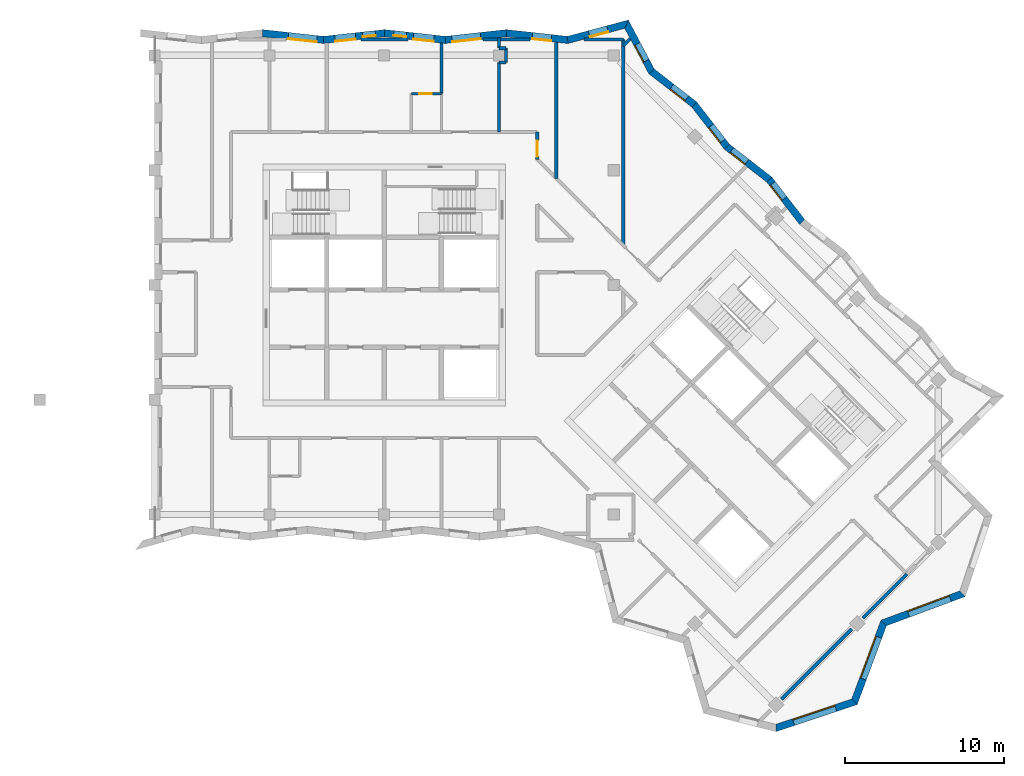
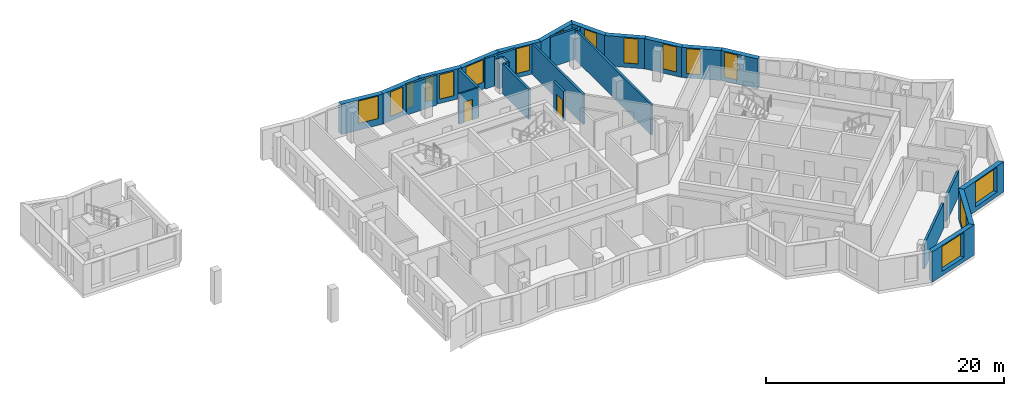
# One storey, part 6 of 12: 30 walls, 16 windows, 2 doors, 18 openings.
"""IFC4 building model written with IfcOpenShell, lengths in metres."""

from ifc_helpers import new_model, si_unit, direction, frame, frame_2d, origin, place, context, subcontext, project, spatial, polyline, rectangle, outline, extrude, material, layer, layer_set, type_object, element, fill, save


model = new_model("IFC4")

# Units and contexts
model_context = context("Model", 3, precision=1e-05, world=origin(), true_north=direction((0.0, 1.0)))
body_context = subcontext(model_context, "Body", "Model", "MODEL_VIEW")
ifc_project = project(units=[si_unit("LENGTHUNIT", "METRE"), si_unit("AREAUNIT", "SQUARE_METRE"), si_unit("VOLUMEUNIT", "CUBIC_METRE"), si_unit("PLANEANGLEUNIT", "RADIAN"), si_unit("MASSUNIT", "GRAM", prefix="KILO")], contexts=[model_context])

# Site, building, storey
site_placement = place(None, origin())
site = spatial("IfcSite", under=ifc_project, at=site_placement, CompositionType="ELEMENT")
building_placement = place(site_placement, origin())
building = spatial("IfcBuilding", under=site, at=building_placement, Name="Windrow Commons", CompositionType="ELEMENT")
storey_placement = place(building_placement, frame((0.0, 0.0, 257.4)))
storey = spatial("IfcBuildingStorey", under=building, at=storey_placement, Name="L70", CompositionType="ELEMENT", Elevation=257.4)

# Wall, opening, window
ifc_material_1 = material(Name="Brick masonry, red clay brick", Category="masonry")
ifc_layer_1 = layer(ifc_material_1, 0.45)
ifc_layer_set_1 = layer_set([ifc_layer_1], Name="Brick facade wall 450")
wall_type_1 = type_object("IfcWallType", Name="Brick facade wall 450", PredefinedType="SOLIDWALL", material=ifc_layer_set_1)
wall_1_placement = place(storey_placement, frame((89.3737, 29.8079, 0.0), z_axis=(0.0, 0.0, 1.0), x_axis=(0.9486852237, 0.3162219889, 0.0)))
wall_1 = element("IfcWall", 1, at=wall_1_placement, inside=storey, type_object=wall_type_1, Name="Brick facade wall L70 1", PredefinedType="SOLIDWALL", context=body_context, shape_type="SweptSolid", body=[
    extrude(outline(polyline([(-0.066, -0.225), (5.3006, -0.225), (5.0851, 0.225), (0.066, 0.225), (-0.066, -0.225)])), origin(), (0.0, 0.0, 1.0), 3.1),
])
opening_1_placement = place(wall_1_placement, frame((1.1575, 0.0, 0.45)))
opening_1 = element("IfcOpeningElement", 2, at=opening_1_placement, cuts=wall_1, Name="Opening W1V", PredefinedType="OPENING", context=body_context, shape_type="SweptSolid", body=[
    extrude(rectangle(XDim=2.8, YDim=2.55, at=frame_2d((1.4, 1.275))), frame((0.0, 0.235, 0.0), z_axis=(0.0, -1.0, 0.0), x_axis=(1.0, 0.0, 0.0)), (0.0, 0.0, 1.0), 0.47),
])
ifc_material_2 = material(Name="Clear float glass in anodised aluminium frame", Category="aluminium")
window_type_1 = type_object("IfcWindowType", Name="Window W1V bedroom 2800x2550", PartitioningType="SINGLE_PANEL", PredefinedType="WINDOW", material=ifc_material_2)
window_1_placement = place(opening_1_placement, origin())
window_1 = element("IfcWindow", 3, at=window_1_placement, inside=storey, type_object=window_type_1, Name="Window L70 1.1", OverallHeight=2.55, OverallWidth=2.8, PartitioningType="SINGLE_PANEL", PredefinedType="WINDOW", context=body_context, shape_type="SweptSolid", body=[
    extrude(rectangle(XDim=2.8, YDim=2.55, at=frame_2d((1.4, 1.275))), frame((0.0, 0.205, 0.0), z_axis=(0.0, -1.0, 0.0), x_axis=(1.0, 0.0, 0.0)), (0.0, 0.0, 1.0), 0.06),
])
fill(opening_1, window_1)

wall_2_placement = place(storey_placement, frame((94.3001, 31.45, 0.0), z_axis=(0.0, 0.0, 1.0), x_axis=(0.3481927166, 0.9374229739, 0.0)))
wall_2 = element("IfcWall", 4, at=wall_2_placement, inside=storey, type_object=wall_type_1, Name="Brick facade wall L70 2", PredefinedType="SOLIDWALL", context=body_context, shape_type="SweptSolid", body=[
    extrude(outline(polyline([(-0.1078, -0.225), (5.1724, -0.225), (5.3786, 0.225), (0.1078, 0.225), (-0.1078, -0.225)])), origin(), (0.0, 0.0, 1.0), 3.1),
])
opening_2_placement = place(wall_2_placement, frame((1.5336, 0.0, 0.45)))
opening_2 = element("IfcOpeningElement", 5, at=opening_2_placement, cuts=wall_2, Name="Opening W1V", PredefinedType="OPENING", context=body_context, shape_type="SweptSolid", body=[
    extrude(rectangle(XDim=2.8, YDim=2.55, at=frame_2d((1.4, 1.275))), frame((0.0, 0.235, 0.0), z_axis=(0.0, -1.0, 0.0), x_axis=(1.0, 0.0, 0.0)), (0.0, 0.0, 1.0), 0.47),
])
window_2_placement = place(opening_2_placement, origin())
window_2 = element("IfcWindow", 6, at=window_2_placement, inside=storey, type_object=window_type_1, Name="Window L70 2.1", OverallHeight=2.55, OverallWidth=2.8, PartitioningType="SINGLE_PANEL", PredefinedType="WINDOW", context=body_context, shape_type="SweptSolid", body=[
    extrude(rectangle(XDim=2.8, YDim=2.55, at=frame_2d((1.4, 1.275))), frame((0.0, 0.205, 0.0), z_axis=(0.0, -1.0, 0.0), x_axis=(1.0, 0.0, 0.0)), (0.0, 0.0, 1.0), 0.06),
])
fill(opening_2, window_2)

wall_3_placement = place(storey_placement, frame((96.137, 36.3954, 0.0), z_axis=(0.0, 0.0, 1.0), x_axis=(0.937429161, 0.3481760591, 0.0)))
wall_3 = element("IfcWall", 7, at=wall_3_placement, inside=storey, type_object=wall_type_1, Name="Brick facade wall L70 3", PredefinedType="SOLIDWALL", context=body_context, shape_type="SweptSolid", body=[
    extrude(outline(polyline([(0.1031, -0.225), (5.3833, -0.225), (5.1677, 0.225), (-0.1031, 0.225), (0.1031, -0.225)])), origin(), (0.0, 0.0, 1.0), 3.1),
])
opening_3_placement = place(wall_3_placement, frame((1.6509, 0.0, 0.45)))
opening_3 = element("IfcOpeningElement", 8, at=opening_3_placement, cuts=wall_3, Name="Opening W1V", PredefinedType="OPENING", context=body_context, shape_type="SweptSolid", body=[
    extrude(rectangle(XDim=2.8, YDim=2.55, at=frame_2d((1.4, 1.275))), frame((0.0, 0.235, 0.0), z_axis=(0.0, -1.0, 0.0), x_axis=(1.0, 0.0, 0.0)), (0.0, 0.0, 1.0), 0.47),
])
window_3_placement = place(opening_3_placement, origin())
window_3 = element("IfcWindow", 9, at=window_3_placement, inside=storey, type_object=window_type_1, Name="Window L70 3.1", OverallHeight=2.55, OverallWidth=2.8, PartitioningType="SINGLE_PANEL", PredefinedType="WINDOW", context=body_context, shape_type="SweptSolid", body=[
    extrude(rectangle(XDim=2.8, YDim=2.55, at=frame_2d((1.4, 1.275))), frame((0.0, 0.205, 0.0), z_axis=(0.0, -1.0, 0.0), x_axis=(1.0, 0.0, 0.0)), (0.0, 0.0, 1.0), 0.06),
])
fill(opening_3, window_3)

wall_4_placement = place(storey_placement, frame((91.0181, 61.5583, 0.0), z_axis=(0.0, 0.0, 1.0), x_axis=(-0.6128887822, 0.7901691849, 0.0)))
wall_4 = element("IfcWall", 10, at=wall_4_placement, inside=storey, type_object=wall_type_1, Name="Brick facade wall L70 12", PredefinedType="SOLIDWALL", context=body_context, shape_type="SweptSolid", body=[
    extrude(outline(polyline([(0.0284, -0.225), (3.3869, -0.225), (3.3301, 0.225), (-0.0284, 0.225), (0.0284, -0.225)])), origin(), (0.0, 0.0, 1.0), 3.1),
])
opening_4_placement = place(wall_4_placement, frame((1.8404, 0.0, 0.45)))
opening_4 = element("IfcOpeningElement", 11, at=opening_4_placement, cuts=wall_4, Name="Opening W7F", PredefinedType="OPENING", context=body_context, shape_type="SweptSolid", body=[
    extrude(rectangle(XDim=1.2, YDim=2.55, at=frame_2d((0.6, 1.275))), frame((0.0, 0.235, 0.0), z_axis=(0.0, -1.0, 0.0), x_axis=(1.0, 0.0, 0.0)), (0.0, 0.0, 1.0), 0.47),
])
ifc_material_3 = material(Name="Clear float glass in anodised aluminium frame", Category="aluminium")
window_type_2 = type_object("IfcWindowType", Name="Window W7 notch 1200x2550", PartitioningType="SINGLE_PANEL", PredefinedType="WINDOW", material=ifc_material_3)
window_4_placement = place(opening_4_placement, origin())
window_4 = element("IfcWindow", 12, at=window_4_placement, inside=storey, type_object=window_type_2, Name="Window L70 12.1", OverallHeight=2.55, OverallWidth=1.2, PartitioningType="SINGLE_PANEL", PredefinedType="WINDOW", context=body_context, shape_type="SweptSolid", body=[
    extrude(rectangle(XDim=1.2, YDim=2.55, at=frame_2d((0.6, 1.275))), frame((0.0, 0.205, 0.0), z_axis=(0.0, -1.0, 0.0), x_axis=(1.0, 0.0, 0.0)), (0.0, 0.0, 1.0), 0.06),
])
fill(opening_4, window_4)

wall_5_placement = place(storey_placement, frame((88.9597, 64.2121, 0.0), z_axis=(0.0, 0.0, 1.0), x_axis=(-0.7901691849, 0.6128887822, 0.0)))
wall_5 = element("IfcWall", 13, at=wall_5_placement, inside=storey, type_object=wall_type_1, Name="Brick facade wall L70 13", PredefinedType="SOLIDWALL", context=body_context, shape_type="SweptSolid", body=[
    extrude(outline(polyline([(-0.0284, -0.225), (3.3301, -0.225), (3.3869, 0.225), (0.0284, 0.225), (-0.0284, -0.225)])), origin(), (0.0, 0.0, 1.0), 3.1),
])
opening_5_placement = place(wall_5_placement, frame((1.7897, 0.0, 0.45)))
opening_5 = element("IfcOpeningElement", 14, at=opening_5_placement, cuts=wall_5, Name="Opening W7F", PredefinedType="OPENING", context=body_context, shape_type="SweptSolid", body=[
    extrude(rectangle(XDim=1.2, YDim=2.55, at=frame_2d((0.6, 1.275))), frame((0.0, 0.235, 0.0), z_axis=(0.0, -1.0, 0.0), x_axis=(1.0, 0.0, 0.0)), (0.0, 0.0, 1.0), 0.47),
])
window_5_placement = place(opening_5_placement, origin())
window_5 = element("IfcWindow", 15, at=window_5_placement, inside=storey, type_object=window_type_2, Name="Window L70 13.1", OverallHeight=2.55, OverallWidth=1.2, PartitioningType="SINGLE_PANEL", PredefinedType="WINDOW", context=body_context, shape_type="SweptSolid", body=[
    extrude(rectangle(XDim=1.2, YDim=2.55, at=frame_2d((0.6, 1.275))), frame((0.0, 0.205, 0.0), z_axis=(0.0, -1.0, 0.0), x_axis=(1.0, 0.0, 0.0)), (0.0, 0.0, 1.0), 0.06),
])
fill(opening_5, window_5)

wall_6_placement = place(storey_placement, frame((86.3059, 66.2705, 0.0), z_axis=(0.0, 0.0, 1.0), x_axis=(-0.612903202, 0.790158, 0.0)))
wall_6 = element("IfcWall", 16, at=wall_6_placement, inside=storey, type_object=wall_type_1, Name="Brick facade wall L70 14", PredefinedType="SOLIDWALL", context=body_context, shape_type="SweptSolid", body=[
    extrude(outline(polyline([(0.0284, -0.225), (3.3869, -0.225), (3.3301, 0.225), (-0.0284, 0.225), (0.0284, -0.225)])), origin(), (0.0, 0.0, 1.0), 3.1),
])
opening_6_placement = place(wall_6_placement, frame((0.4455, 0.0, 0.45)))
opening_6 = element("IfcOpeningElement", 17, at=opening_6_placement, cuts=wall_6, Name="Opening W7F", PredefinedType="OPENING", context=body_context, shape_type="SweptSolid", body=[
    extrude(rectangle(XDim=1.2, YDim=2.55, at=frame_2d((0.6, 1.275))), frame((0.0, 0.235, 0.0), z_axis=(0.0, -1.0, 0.0), x_axis=(1.0, 0.0, 0.0)), (0.0, 0.0, 1.0), 0.47),
])
window_6_placement = place(opening_6_placement, origin())
window_6 = element("IfcWindow", 18, at=window_6_placement, inside=storey, type_object=window_type_2, Name="Window L70 14.1", OverallHeight=2.55, OverallWidth=1.2, PartitioningType="SINGLE_PANEL", PredefinedType="WINDOW", context=body_context, shape_type="SweptSolid", body=[
    extrude(rectangle(XDim=1.2, YDim=2.55, at=frame_2d((0.6, 1.275))), frame((0.0, 0.205, 0.0), z_axis=(0.0, -1.0, 0.0), x_axis=(1.0, 0.0, 0.0)), (0.0, 0.0, 1.0), 0.06),
])
fill(opening_6, window_6)

wall_7_placement = place(storey_placement, frame((84.2475, 68.9242, 0.0), z_axis=(0.0, 0.0, 1.0), x_axis=(-0.7901548528, 0.6129072594, 0.0)))
wall_7 = element("IfcWall", 19, at=wall_7_placement, inside=storey, type_object=wall_type_1, Name="Brick facade wall L70 15", PredefinedType="SOLIDWALL", context=body_context, shape_type="SweptSolid", body=[
    extrude(outline(polyline([(-0.0284, -0.225), (3.3301, -0.225), (3.4267, 0.225), (0.0284, 0.225), (-0.0284, -0.225)])), origin(), (0.0, 0.0, 1.0), 3.1),
])
opening_7_placement = place(wall_7_placement, frame((0.5948, 0.0, 0.45)))
opening_7 = element("IfcOpeningElement", 20, at=opening_7_placement, cuts=wall_7, Name="Opening W7F", PredefinedType="OPENING", context=body_context, shape_type="SweptSolid", body=[
    extrude(rectangle(XDim=1.2, YDim=2.55, at=frame_2d((0.6, 1.275))), frame((0.0, 0.235, 0.0), z_axis=(0.0, -1.0, 0.0), x_axis=(1.0, 0.0, 0.0)), (0.0, 0.0, 1.0), 0.47),
])
window_7_placement = place(opening_7_placement, origin())
window_7 = element("IfcWindow", 21, at=window_7_placement, inside=storey, type_object=window_type_2, Name="Window L70 15.1", OverallHeight=2.55, OverallWidth=1.2, PartitioningType="SINGLE_PANEL", PredefinedType="WINDOW", context=body_context, shape_type="SweptSolid", body=[
    extrude(rectangle(XDim=1.2, YDim=2.55, at=frame_2d((0.6, 1.275))), frame((0.0, 0.205, 0.0), z_axis=(0.0, -1.0, 0.0), x_axis=(1.0, 0.0, 0.0)), (0.0, 0.0, 1.0), 0.06),
])
fill(opening_7, window_7)

wall_8_placement = place(storey_placement, frame((81.5781, 70.9948, 0.0), z_axis=(0.0, 0.0, 1.0), x_axis=(-0.4689147136, 0.8832434497, 0.0)))
wall_8 = element("IfcWall", 22, at=wall_8_placement, inside=storey, type_object=wall_type_1, Name="Brick facade wall L70 16", PredefinedType="SOLIDWALL", context=body_context, shape_type="SweptSolid", body=[
    extrude(outline(polyline([(0.0483, -0.225), (3.5332, -0.225), (3.1754, 0.225), (-0.0483, 0.225), (0.0483, -0.225)])), origin(), (0.0, 0.0, 1.0), 3.1),
])
opening_8_placement = place(wall_8_placement, frame((0.7511, 0.0, 0.45)))
opening_8 = element("IfcOpeningElement", 23, at=opening_8_placement, cuts=wall_8, Name="Opening W7F", PredefinedType="OPENING", context=body_context, shape_type="SweptSolid", body=[
    extrude(rectangle(XDim=1.2, YDim=2.55, at=frame_2d((0.6, 1.275))), frame((0.0, 0.235, 0.0), z_axis=(0.0, -1.0, 0.0), x_axis=(1.0, 0.0, 0.0)), (0.0, 0.0, 1.0), 0.47),
])
window_8_placement = place(opening_8_placement, origin())
window_8 = element("IfcWindow", 24, at=window_8_placement, inside=storey, type_object=window_type_2, Name="Window L70 16.1", OverallHeight=2.55, OverallWidth=1.2, PartitioningType="SINGLE_PANEL", PredefinedType="WINDOW", context=body_context, shape_type="SweptSolid", body=[
    extrude(rectangle(XDim=1.2, YDim=2.55, at=frame_2d((0.6, 1.275))), frame((0.0, 0.205, 0.0), z_axis=(0.0, -1.0, 0.0), x_axis=(1.0, 0.0, 0.0)), (0.0, 0.0, 1.0), 0.06),
])
fill(opening_8, window_8)

wall_9_placement = place(storey_placement, frame((80.0052, 73.9575, 0.0), z_axis=(0.0, 0.0, 1.0), x_axis=(-0.96615759, -0.257952537, 0.0)))
wall_9 = element("IfcWall", 25, at=wall_9_placement, inside=storey, type_object=wall_type_1, Name="Brick facade wall L70 17", PredefinedType="SOLIDWALL", context=body_context, shape_type="SweptSolid", body=[
    extrude(outline(polyline([(-0.1789, -0.225), (3.7794, -0.225), (3.8637, 0.225), (0.1789, 0.225), (-0.1789, -0.225)])), origin(), (0.0, 0.0, 1.0), 3.1),
])
opening_9_placement = place(wall_9_placement, frame((1.2275, 0.0, 0.45)))
opening_9 = element("IfcOpeningElement", 26, at=opening_9_placement, cuts=wall_9, Name="Opening W7F", PredefinedType="OPENING", context=body_context, shape_type="SweptSolid", body=[
    extrude(rectangle(XDim=1.2, YDim=2.55, at=frame_2d((0.6, 1.275))), frame((0.0, 0.235, 0.0), z_axis=(0.0, -1.0, 0.0), x_axis=(1.0, 0.0, 0.0)), (0.0, 0.0, 1.0), 0.47),
])
window_9_placement = place(opening_9_placement, origin())
window_9 = element("IfcWindow", 27, at=window_9_placement, inside=storey, type_object=window_type_2, Name="Window L70 17.1", OverallHeight=2.55, OverallWidth=1.2, PartitioningType="SINGLE_PANEL", PredefinedType="WINDOW", context=body_context, shape_type="SweptSolid", body=[
    extrude(rectangle(XDim=1.2, YDim=2.55, at=frame_2d((0.6, 1.275))), frame((0.0, 0.205, 0.0), z_axis=(0.0, -1.0, 0.0), x_axis=(1.0, 0.0, 0.0)), (0.0, 0.0, 1.0), 0.06),
])
fill(opening_9, window_9)

wall_10_placement = place(storey_placement, frame((76.3129, 72.9717, 0.0), z_axis=(0.0, 0.0, 1.0), x_axis=(-0.9939952411, 0.1094233099, 0.0)))
wall_10 = element("IfcWall", 28, at=wall_10_placement, inside=storey, type_object=wall_type_1, Name="Brick facade wall L70 18", PredefinedType="SOLIDWALL", context=body_context, shape_type="SweptSolid", body=[
    extrude(outline(polyline([(0.0422, -0.225), (3.8896, -0.225), (3.8401, 0.225), (-0.0422, 0.225), (0.0422, -0.225)])), origin(), (0.0, 0.0, 1.0), 3.1),
])
opening_10_placement = place(wall_10_placement, frame((1.0287, 0.0, 0.45)))
opening_10 = element("IfcOpeningElement", 29, at=opening_10_placement, cuts=wall_10, Name="Opening W7F", PredefinedType="OPENING", context=body_context, shape_type="SweptSolid", body=[
    extrude(rectangle(XDim=1.2, YDim=2.55, at=frame_2d((0.6, 1.275))), frame((0.0, 0.235, 0.0), z_axis=(0.0, -1.0, 0.0), x_axis=(1.0, 0.0, 0.0)), (0.0, 0.0, 1.0), 0.47),
])
window_10_placement = place(opening_10_placement, origin())
window_10 = element("IfcWindow", 30, at=window_10_placement, inside=storey, type_object=window_type_2, Name="Window L70 18.1", OverallHeight=2.55, OverallWidth=1.2, PartitioningType="SINGLE_PANEL", PredefinedType="WINDOW", context=body_context, shape_type="SweptSolid", body=[
    extrude(rectangle(XDim=1.2, YDim=2.55, at=frame_2d((0.6, 1.275))), frame((0.0, 0.205, 0.0), z_axis=(0.0, -1.0, 0.0), x_axis=(1.0, 0.0, 0.0)), (0.0, 0.0, 1.0), 0.06),
])
fill(opening_10, window_10)

wall_11_placement = place(storey_placement, frame((72.4713, 73.3946, 0.0), z_axis=(0.0, 0.0, 1.0), x_axis=(-0.9939954262, -0.1094216281, 0.0)))
wall_11 = element("IfcWall", 31, at=wall_11_placement, inside=storey, type_object=wall_type_1, Name="Brick facade wall L70 19", PredefinedType="SOLIDWALL", context=body_context, shape_type="SweptSolid", body=[
    extrude(outline(polyline([(-0.0248, -0.225), (3.8227, -0.225), (3.8722, 0.225), (0.0248, 0.225), (-0.0248, -0.225)])), origin(), (0.0, 0.0, 1.0), 3.1),
])
opening_11_placement = place(wall_11_placement, frame((1.6369, 0.0, 0.7)))
opening_11 = element("IfcOpeningElement", 32, at=opening_11_placement, cuts=wall_11, Name="Opening W1C", PredefinedType="OPENING", context=body_context, shape_type="SweptSolid", body=[
    extrude(rectangle(XDim=1.8, YDim=2.3, at=frame_2d((0.9, 1.15))), frame((0.0, 0.235, 0.0), z_axis=(0.0, -1.0, 0.0), x_axis=(1.0, 0.0, 0.0)), (0.0, 0.0, 1.0), 0.47),
])
ifc_material_4 = material(Name="Clear float glass in anodised aluminium frame", Category="aluminium")
window_type_3 = type_object("IfcWindowType", Name="Window W1 bedroom 1800x2300", PartitioningType="SINGLE_PANEL", PredefinedType="WINDOW", material=ifc_material_4)
window_11_placement = place(opening_11_placement, origin())
window_11 = element("IfcWindow", 33, at=window_11_placement, inside=storey, type_object=window_type_3, Name="Window L70 19.1A", OverallHeight=2.3, OverallWidth=1.8, PartitioningType="SINGLE_PANEL", PredefinedType="WINDOW", context=body_context, shape_type="SweptSolid", body=[
    extrude(rectangle(XDim=1.8, YDim=2.3, at=frame_2d((0.9, 1.15))), frame((0.0, 0.205, 0.0), z_axis=(0.0, -1.0, 0.0), x_axis=(1.0, 0.0, 0.0)), (0.0, 0.0, 1.0), 0.06),
])
fill(opening_11, window_11)

# Wall, openings, windows
wall_12_placement = place(storey_placement, frame((68.6469, 72.9736, 0.0), z_axis=(0.0, 0.0, 1.0), x_axis=(-0.993995115, 0.109424455, 0.0)))
wall_12 = element("IfcWall", 34, at=wall_12_placement, inside=storey, type_object=wall_type_1, Name="Brick facade wall L70 20", PredefinedType="SOLIDWALL", context=body_context, shape_type="SweptSolid", body=[
    extrude(outline(polyline([(0.0248, -0.225), (3.8722, -0.225), (3.8227, 0.225), (-0.0248, 0.225), (0.0248, -0.225)])), origin(), (0.0, 0.0, 1.0), 3.1),
])
opening_12_placement = place(wall_12_placement, frame((0.7229, 0.0, 0.45)))
opening_12 = element("IfcOpeningElement", 35, at=opening_12_placement, cuts=wall_12, Name="Opening W1Q", PredefinedType="OPENING", context=body_context, shape_type="SweptSolid", body=[
    extrude(rectangle(XDim=1.3, YDim=2.5, at=frame_2d((0.65, 1.25))), frame((0.0, 0.235, 0.0), z_axis=(0.0, -1.0, 0.0), x_axis=(1.0, 0.0, 0.0)), (0.0, 0.0, 1.0), 0.47),
])
opening_13_placement = place(wall_12_placement, frame((2.4729, 0.0, 0.45)))
opening_13 = element("IfcOpeningElement", 36, at=opening_13_placement, cuts=wall_12, Name="Opening W1N", PredefinedType="OPENING", context=body_context, shape_type="SweptSolid", body=[
    extrude(rectangle(XDim=0.8, YDim=2.5, at=frame_2d((0.4, 1.25))), frame((0.0, 0.235, 0.0), z_axis=(0.0, -1.0, 0.0), x_axis=(1.0, 0.0, 0.0)), (0.0, 0.0, 1.0), 0.47),
])
ifc_material_5 = material(Name="Clear float glass in anodised aluminium frame", Category="aluminium")
window_type_4 = type_object("IfcWindowType", Name="Window W1N slit 800x2500", PartitioningType="SINGLE_PANEL", PredefinedType="WINDOW", material=ifc_material_5)
window_12_placement = place(opening_13_placement, origin())
window_12 = element("IfcWindow", 37, at=window_12_placement, inside=storey, type_object=window_type_4, Name="Window L70 20.1B", OverallHeight=2.5, OverallWidth=0.8, PartitioningType="SINGLE_PANEL", PredefinedType="WINDOW", context=body_context, shape_type="SweptSolid", body=[
    extrude(rectangle(XDim=0.8, YDim=2.5, at=frame_2d((0.4, 1.25))), frame((0.0, 0.115, 0.0), z_axis=(0.0, -1.0, 0.0), x_axis=(1.0, 0.0, 0.0)), (0.0, 0.0, 1.0), 0.06),
])
fill(opening_13, window_12)
ifc_material_6 = material(Name="Clear float glass in anodised aluminium frame", Category="aluminium")
window_type_5 = type_object("IfcWindowType", Name="Window W1Q pair 1300x2500", PartitioningType="SINGLE_PANEL", PredefinedType="WINDOW", material=ifc_material_6)
window_13_placement = place(opening_12_placement, origin())
window_13 = element("IfcWindow", 38, at=window_13_placement, inside=storey, type_object=window_type_5, Name="Window L70 20.1A", OverallHeight=2.5, OverallWidth=1.3, PartitioningType="SINGLE_PANEL", PredefinedType="WINDOW", context=body_context, shape_type="SweptSolid", body=[
    extrude(rectangle(XDim=1.3, YDim=2.5, at=frame_2d((0.65, 1.25))), frame((0.0, 0.205, 0.0), z_axis=(0.0, -1.0, 0.0), x_axis=(1.0, 0.0, 0.0)), (0.0, 0.0, 1.0), 0.06),
])
fill(opening_12, window_13)

wall_13_placement = place(storey_placement, frame((64.8226, 73.3946, 0.0), z_axis=(0.0, 0.0, 1.0), x_axis=(-0.9939954262, -0.1094216281, 0.0)))
wall_13 = element("IfcWall", 39, at=wall_13_placement, inside=storey, type_object=wall_type_1, Name="Brick facade wall L70 21", PredefinedType="SOLIDWALL", context=body_context, shape_type="SweptSolid", body=[
    extrude(outline(polyline([(-0.0248, -0.225), (3.8227, -0.225), (3.8722, 0.225), (0.0248, 0.225), (-0.0248, -0.225)])), origin(), (0.0, 0.0, 1.0), 3.1),
])
opening_14_placement = place(wall_13_placement, frame((0.5745, 0.0, 0.45)))
opening_14 = element("IfcOpeningElement", 40, at=opening_14_placement, cuts=wall_13, Name="Opening W1N", PredefinedType="OPENING", context=body_context, shape_type="SweptSolid", body=[
    extrude(rectangle(XDim=0.8, YDim=2.5, at=frame_2d((0.4, 1.25))), frame((0.0, 0.235, 0.0), z_axis=(0.0, -1.0, 0.0), x_axis=(1.0, 0.0, 0.0)), (0.0, 0.0, 1.0), 0.47),
])
opening_15_placement = place(wall_13_placement, frame((1.8245, 0.0, 0.45)))
opening_15 = element("IfcOpeningElement", 41, at=opening_15_placement, cuts=wall_13, Name="Opening W1Q", PredefinedType="OPENING", context=body_context, shape_type="SweptSolid", body=[
    extrude(rectangle(XDim=1.3, YDim=2.5, at=frame_2d((0.65, 1.25))), frame((0.0, 0.235, 0.0), z_axis=(0.0, -1.0, 0.0), x_axis=(1.0, 0.0, 0.0)), (0.0, 0.0, 1.0), 0.47),
])
window_14_placement = place(opening_14_placement, origin())
window_14 = element("IfcWindow", 42, at=window_14_placement, inside=storey, type_object=window_type_4, Name="Window L70 21.1A", OverallHeight=2.5, OverallWidth=0.8, PartitioningType="SINGLE_PANEL", PredefinedType="WINDOW", context=body_context, shape_type="SweptSolid", body=[
    extrude(rectangle(XDim=0.8, YDim=2.5, at=frame_2d((0.4, 1.25))), frame((0.0, 0.115, 0.0), z_axis=(0.0, -1.0, 0.0), x_axis=(1.0, 0.0, 0.0)), (0.0, 0.0, 1.0), 0.06),
])
fill(opening_14, window_14)
window_15_placement = place(opening_15_placement, origin())
window_15 = element("IfcWindow", 43, at=window_15_placement, inside=storey, type_object=window_type_5, Name="Window L70 21.1B", OverallHeight=2.5, OverallWidth=1.3, PartitioningType="SINGLE_PANEL", PredefinedType="WINDOW", context=body_context, shape_type="SweptSolid", body=[
    extrude(rectangle(XDim=1.3, YDim=2.5, at=frame_2d((0.65, 1.25))), frame((0.0, 0.205, 0.0), z_axis=(0.0, -1.0, 0.0), x_axis=(1.0, 0.0, 0.0)), (0.0, 0.0, 1.0), 0.06),
])
fill(opening_15, window_15)

# Wall, opening, window
wall_14_placement = place(storey_placement, frame((60.9982, 72.9736, 0.0), z_axis=(0.0, 0.0, 1.0), x_axis=(-0.993995115, 0.109424455, 0.0)))
wall_14 = element("IfcWall", 44, at=wall_14_placement, inside=storey, type_object=wall_type_1, Name="Brick facade wall L70 22", PredefinedType="SOLIDWALL", context=body_context, shape_type="SweptSolid", body=[
    extrude(outline(polyline([(0.0248, -0.225), (3.8722, -0.225), (3.8227, 0.225), (-0.0248, 0.225), (0.0248, -0.225)])), origin(), (0.0, 0.0, 1.0), 3.1),
])
opening_16_placement = place(wall_14_placement, frame((0.4219, 0.0, 0.7)))
opening_16 = element("IfcOpeningElement", 45, at=opening_16_placement, cuts=wall_14, Name="Opening W1C", PredefinedType="OPENING", context=body_context, shape_type="SweptSolid", body=[
    extrude(rectangle(XDim=1.8, YDim=2.3, at=frame_2d((0.9, 1.15))), frame((0.0, 0.235, 0.0), z_axis=(0.0, -1.0, 0.0), x_axis=(1.0, 0.0, 0.0)), (0.0, 0.0, 1.0), 0.47),
])
window_16_placement = place(opening_16_placement, origin())
window_16 = element("IfcWindow", 46, at=window_16_placement, inside=storey, type_object=window_type_3, Name="Window L70 22.1A", OverallHeight=2.3, OverallWidth=1.8, PartitioningType="SINGLE_PANEL", PredefinedType="WINDOW", context=body_context, shape_type="SweptSolid", body=[
    extrude(rectangle(XDim=1.8, YDim=2.3, at=frame_2d((0.9, 1.15))), frame((0.0, 0.205, 0.0), z_axis=(0.0, -1.0, 0.0), x_axis=(1.0, 0.0, 0.0)), (0.0, 0.0, 1.0), 0.06),
])
fill(opening_16, window_16)

# Wall, opening, door
ifc_material_7 = material(Name="Blockwork partition", Category="masonry")
ifc_layer_2 = layer(ifc_material_7, 0.2)
ifc_layer_set_2 = layer_set([ifc_layer_2], Name="IW-CORRIDOR-200")
wall_type_2 = type_object("IfcWallType", Name="IW-CORRIDOR-200", PredefinedType="PARTITIONING", material=ifc_layer_set_2)
wall_15_placement = place(storey_placement, frame((74.4, 65.486, 0.0), z_axis=(0.0, 0.0, 1.0), x_axis=(0.0, 1.0, 0.0)))
wall_15 = element("IfcWall", 47, at=wall_15_placement, inside=storey, type_object=wall_type_2, Name="W-L70-W069", PredefinedType="PARTITIONING", context=body_context, shape_type="SweptSolid", body=[
    extrude(rectangle(XDim=1.714, YDim=0.2, at=frame_2d((0.857, 0.0))), origin(), (0.0, 0.0, 1.0), 3.1),
])
opening_17_placement = place(wall_15_placement, frame((0.1617, 0.0, 0.0)))
opening_17 = element("IfcOpeningElement", 48, at=opening_17_placement, cuts=wall_15, Name="Opening D310F", PredefinedType="OPENING", context=body_context, shape_type="SweptSolid", body=[
    extrude(rectangle(XDim=1.0, YDim=2.1, at=frame_2d((0.5, 1.05))), frame((0.0, 0.11, 0.0), z_axis=(0.0, -1.0, 0.0), x_axis=(1.0, 0.0, 0.0)), (0.0, 0.0, 1.0), 0.22),
])
ifc_material_8 = material(Name="Timber door leaf", Category="wood")
door_type_1 = type_object("IfcDoorType", Name="DT-AMENITY-1000", OperationType="SINGLE_SWING_LEFT", PredefinedType="DOOR", material=ifc_material_8)
door_1_placement = place(opening_17_placement, origin())
door_1 = element("IfcDoor", 49, at=door_1_placement, inside=storey, type_object=door_type_1, Name="D-L70-D015", OperationType="SINGLE_SWING_RIGHT", OverallHeight=2.1, OverallWidth=1.0, PredefinedType="DOOR", context=body_context, shape_type="SweptSolid", body=[
    extrude(rectangle(XDim=1.0, YDim=2.1, at=frame_2d((0.5, 1.05))), frame((0.0, 0.025, 0.0), z_axis=(0.0, -1.0, 0.0), x_axis=(1.0, 0.0, 0.0)), (0.0, 0.0, 1.0), 0.05),
])
fill(opening_17, door_1)

ifc_material_9 = material(Name="Blockwork partition", Category="masonry")
ifc_layer_3 = layer(ifc_material_9, 0.15)
ifc_layer_set_3 = layer_set([ifc_layer_3], Name="IW-ENSUITE-150")
wall_type_3 = type_object("IfcWallType", Name="IW-ENSUITE-150", PredefinedType="PARTITIONING", material=ifc_layer_set_3)
wall_16_placement = place(storey_placement, frame((66.5, 69.6, 0.0), z_axis=(0.0, 0.0, 1.0), x_axis=(1.0, 0.0, 0.0)))
wall_16 = element("IfcWall", 50, at=wall_16_placement, inside=storey, type_object=wall_type_3, Name="W-L70-W067", PredefinedType="PARTITIONING", context=body_context, shape_type="SweptSolid", body=[
    extrude(rectangle(XDim=1.9, YDim=0.15, at=frame_2d((0.95, 0.0))), origin(), (0.0, 0.0, 1.0), 3.1),
])
opening_18_placement = place(wall_16_placement, frame((0.4931, 0.0, 0.0)))
opening_18 = element("IfcOpeningElement", 51, at=opening_18_placement, cuts=wall_16, Name="Opening D208N", PredefinedType="OPENING", context=body_context, shape_type="SweptSolid", body=[
    extrude(rectangle(XDim=0.8, YDim=2.1, at=frame_2d((0.4, 1.05))), frame((0.0, 0.085, 0.0), z_axis=(0.0, -1.0, 0.0), x_axis=(1.0, 0.0, 0.0)), (0.0, 0.0, 1.0), 0.17),
])
ifc_material_10 = material(Name="Timber door leaf", Category="wood")
door_type_2 = type_object("IfcDoorType", Name="DT-ENSUITE-800", OperationType="SINGLE_SWING_LEFT", PredefinedType="DOOR", material=ifc_material_10)
door_2_placement = place(opening_18_placement, origin())
door_2 = element("IfcDoor", 52, at=door_2_placement, inside=storey, type_object=door_type_2, Name="D-L70-D013", OperationType="SINGLE_SWING_RIGHT", OverallHeight=2.1, OverallWidth=0.8, PredefinedType="DOOR", context=body_context, shape_type="SweptSolid", body=[
    extrude(rectangle(XDim=0.8, YDim=2.1, at=frame_2d((0.4, 1.05))), frame((0.0, 0.025, 0.0), z_axis=(0.0, -1.0, 0.0), x_axis=(1.0, 0.0, 0.0)), (0.0, 0.0, 1.0), 0.05),
])
fill(opening_18, door_2)

# Walls
ifc_material_11 = material(Name="Blockwork partition", Category="masonry")
ifc_layer_4 = layer(ifc_material_11, 0.2)
ifc_layer_set_4 = layer_set([ifc_layer_4], Name="IW-PARTY-200")
wall_type_4 = type_object("IfcWallType", Name="IW-PARTY-200", PredefinedType="PARTITIONING", material=ifc_layer_set_4)
wall_17_placement = place(storey_placement, frame((79.8, 60.086, 0.0), z_axis=(0.0, 0.0, 1.0), x_axis=(0.0, 1.0, 0.0)))
element("IfcWall", 53, at=wall_17_placement, inside=storey, type_object=wall_type_4, Name="W-L70-W003", PredefinedType="PARTITIONING", context=body_context, shape_type="SweptSolid", body=[
    extrude(rectangle(XDim=12.914, YDim=0.2, at=frame_2d((6.457, 0.0))), origin(), (0.0, 0.0, 1.0), 3.1),
])
wall_18_placement = place(storey_placement, frame((75.6, 64.286, 0.0), z_axis=(0.0, 0.0, 1.0), x_axis=(0.0, 1.0, 0.0)))
element("IfcWall", 54, at=wall_18_placement, inside=storey, type_object=wall_type_4, Name="W-L70-W010", PredefinedType="PARTITIONING", context=body_context, shape_type="SweptSolid", body=[
    extrude(rectangle(XDim=8.5379, YDim=0.2, at=frame_2d((4.269, 0.0))), origin(), (0.0, 0.0, 1.0), 3.1),
])
wall_19_placement = place(storey_placement, frame((89.731, 31.621, 0.0), z_axis=(0.0, 0.0, 1.0), x_axis=(0.7071067812, 0.7071067812, 0.0)))
element("IfcWall", 55, at=wall_19_placement, inside=storey, type_object=wall_type_4, Name="W-L70-W015", PredefinedType="PARTITIONING", context=body_context, shape_type="SweptSolid", body=[
    extrude(rectangle(XDim=6.2112, YDim=0.2, at=frame_2d((3.1056, 0.0))), origin(), (0.0, 0.0, 1.0), 2.6),
])
wall_20_placement = place(storey_placement, frame((72.0, 67.2, 0.0), z_axis=(0.0, 0.0, 1.0), x_axis=(0.0, 1.0, 0.0)))
element("IfcWall", 56, at=wall_20_placement, inside=storey, type_object=wall_type_4, Name="W-L70-W027", PredefinedType="PARTITIONING", context=body_context, shape_type="SweptSolid", body=[
    extrude(rectangle(XDim=4.346, YDim=0.2, at=frame_2d((2.173, 0.0))), origin(), (0.0, 0.0, 1.0), 3.1),
])
wall_21_placement = place(storey_placement, frame((94.8275, 36.7085, 0.0), z_axis=(0.0, 0.0, 1.0), x_axis=(0.7068506295, 0.7073628401, 0.0)))
element("IfcWall", 57, at=wall_21_placement, inside=storey, type_object=wall_type_4, Name="W-L70-W032", PredefinedType="PARTITIONING", context=body_context, shape_type="SweptSolid", body=[
    extrude(rectangle(XDim=3.9046, YDim=0.2, at=frame_2d((1.9523, 0.0))), origin(), (0.0, 0.0, 1.0), 2.6),
])
wall_22_placement = place(storey_placement, frame((68.4, 69.6, 0.0), z_axis=(0.0, 0.0, 1.0), x_axis=(0.0, 1.0, 0.0)))
element("IfcWall", 58, at=wall_22_placement, inside=storey, type_object=wall_type_4, Name="W-L70-W037", PredefinedType="PARTITIONING", context=body_context, shape_type="SweptSolid", body=[
    extrude(rectangle(XDim=3.1745, YDim=0.2, at=frame_2d((1.5873, 0.0))), origin(), (0.0, 0.0, 1.0), 3.1),
])
wall_23_placement = place(storey_placement, frame((70.9926, 73.0, 0.0), z_axis=(0.0, 0.0, 1.0), x_axis=(1.0, 0.0, 0.0)))
element("IfcWall", 59, at=wall_23_placement, inside=storey, type_object=wall_type_4, Name="W-L70-W040", PredefinedType="PARTITIONING", context=body_context, shape_type="SweptSolid", body=[
    extrude(rectangle(XDim=2.9574, YDim=0.2, at=frame_2d((1.4787, 0.0))), origin(), (0.0, 0.0, 1.0), 3.1),
])
wall_24_placement = place(storey_placement, frame((63.3439, 73.0, 0.0), z_axis=(0.0, 0.0, 1.0), x_axis=(1.0, 0.0, 0.0)))
element("IfcWall", 60, at=wall_24_placement, inside=storey, type_object=wall_type_4, Name="W-L70-W041", PredefinedType="PARTITIONING", context=body_context, shape_type="SweptSolid", body=[
    extrude(rectangle(XDim=2.9573, YDim=0.2, at=frame_2d((1.4787, 0.0))), origin(), (0.0, 0.0, 1.0), 3.1),
])
wall_25_placement = place(storey_placement, frame((77.3411, 73.0, 0.0), z_axis=(0.0, 0.0, 1.0), x_axis=(1.0, 0.0, 0.0)))
element("IfcWall", 61, at=wall_25_placement, inside=storey, type_object=wall_type_4, Name="W-L70-W048", PredefinedType="PARTITIONING", context=body_context, shape_type="SweptSolid", body=[
    extrude(rectangle(XDim=2.4589, YDim=0.2, at=frame_2d((1.2294, 0.0))), origin(), (0.0, 0.0, 1.0), 3.1),
])
wall_26_placement = place(storey_placement, frame((72.45, 71.546, 0.0), z_axis=(0.0, 0.0, 1.0), x_axis=(0.0, 1.0, 0.0)))
element("IfcWall", 62, at=wall_26_placement, inside=storey, type_object=wall_type_4, Name="W-L70-W077", PredefinedType="PARTITIONING", context=body_context, shape_type="SweptSolid", body=[
    extrude(rectangle(XDim=0.908, YDim=0.2, at=frame_2d((0.454, 0.0))), origin(), (0.0, 0.0, 1.0), 3.1),
])
wall_27_placement = place(storey_placement, frame((72.0, 72.454, 0.0), z_axis=(0.0, 0.0, 1.0), x_axis=(0.0, 1.0, 0.0)))
element("IfcWall", 63, at=wall_27_placement, inside=storey, type_object=wall_type_4, Name="W-L70-W089", PredefinedType="PARTITIONING", context=body_context, shape_type="SweptSolid", body=[
    extrude(rectangle(XDim=0.6624, YDim=0.2, at=frame_2d((0.3312, 0.0))), origin(), (0.0, 0.0, 1.0), 3.1),
])
wall_28_placement = place(storey_placement, frame((79.7992, 72.6008, 0.0), z_axis=(0.0, 0.0, 1.0), x_axis=(0.7070261763, 0.7071873769, 0.0)))
element("IfcWall", 64, at=wall_28_placement, inside=storey, type_object=wall_type_4, Name="W-L70-W090", PredefinedType="PARTITIONING", context=body_context, shape_type="SweptSolid", body=[
    extrude(rectangle(XDim=0.6203, YDim=0.2, at=frame_2d((0.3101, 0.0))), origin(), (0.0, 0.0, 1.0), 3.1),
])
for number, where, z_axis, x_axis, name in (
    (65, (72.0, 72.45, 0.0), (0.0, 0.0, 1.0), (1.0, 0.0, 0.0), "W-L70-W095"),
    (66, (72.0, 71.55, 0.0), (0.0, 0.0, 1.0), (1.0, 0.0, 0.0), "W-L70-W096"),
):
    element("IfcWall", number, at=place(storey_placement, frame(where, z_axis=z_axis, x_axis=x_axis)), inside=storey, type_object=wall_type_4, Name=name, PredefinedType="PARTITIONING", context=body_context, shape_type="SweptSolid", body=[
        extrude(rectangle(XDim=0.45, YDim=0.2, at=frame_2d((0.225, 0.0))), origin(), (0.0, 0.0, 1.0), 3.1),
    ])

save(model, "model.ifc")
